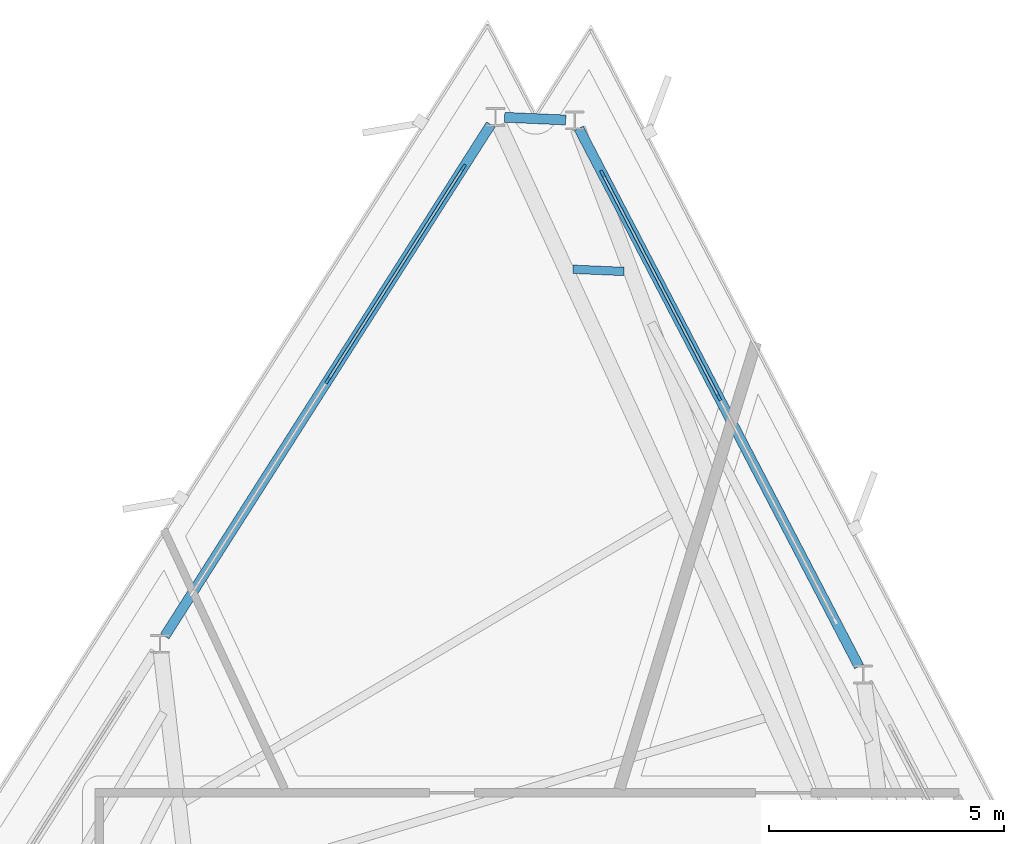
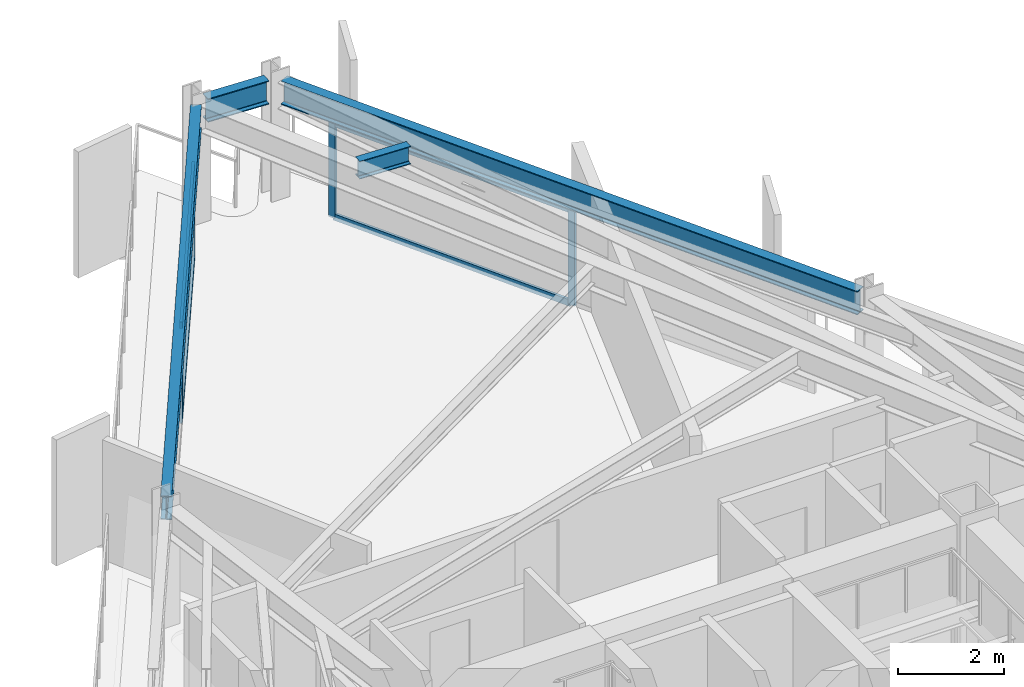
# One storey, part 6 of 12: 8 members, 4 beams, 2 elements without a shape of their own.
"""IFC4 building model written with IfcOpenShell, lengths in metres."""

from ifc_helpers import new_model, si_unit, direction, frame, origin, origin_2d, place, context, subcontext, project, spatial, rectangle, i_section, extrude, material, layer, layer_set, material_profile, profile_set, type_object, element, aggregate, save


model = new_model("IFC4")

# Units and contexts
model_context = context("Model", 3, precision=1e-05, world=origin(), true_north=direction((0.0, 1.0)))
body_context = subcontext(model_context, "Body", "Model", "MODEL_VIEW")
ifc_project = project(units=[si_unit("LENGTHUNIT", "METRE"), si_unit("AREAUNIT", "SQUARE_METRE"), si_unit("VOLUMEUNIT", "CUBIC_METRE"), si_unit("PLANEANGLEUNIT", "RADIAN"), si_unit("MASSUNIT", "GRAM", prefix="KILO")], contexts=[model_context])

# Site, building, storey
site_placement = place(None, origin())
site = spatial("IfcSite", under=ifc_project, at=site_placement, CompositionType="ELEMENT")
building_placement = place(site_placement, origin())
building = spatial("IfcBuilding", under=site, at=building_placement, Name="Rocaltana Carrier Exchange", CompositionType="ELEMENT")
storey_placement = place(building_placement, frame((0.0, 0.0, 141.1201171875)))
storey = spatial("IfcBuildingStorey", under=building, at=storey_placement, Name="L44", CompositionType="ELEMENT", Elevation=141.1201171875)

# Curtain wall, members
ifc_material_1 = material(Name="Aluminium 6063-T6", Category="aluminium")
ifc_layer = layer(ifc_material_1, 0.14990234375)
ifc_layer_set = layer_set([ifc_layer], Name="Aluminium 6063-T6")
curtain_wall_type = type_object("IfcCurtainWallType", Name="Mid-Tower Unitised Curtain Wall CW-03", PredefinedType="NOTDEFINED", material=ifc_layer_set)
curtain_wall_1_placement = place(storey_placement, origin())
curtain_wall_1 = element("IfcCurtainWall", 1, at=curtain_wall_1_placement, inside=storey, type_object=curtain_wall_type, Name="L44 CW-03 Run CW-L44-F1S3", PredefinedType="NOTDEFINED")
ifc_material_2 = material(Name="Aluminium 6063-T6", Category="aluminium")
ifc_material_profile_1 = material_profile(ifc_material_2, rectangle(XDim=0.06005859375, YDim=0.14990234375, at=origin_2d()), Name="AL-60X150")
ifc_profile_set_1 = profile_set([ifc_material_profile_1], Name="Aluminium 6063-T6")
member_type_1 = type_object("IfcMemberType", Name="CW-03 Mullion AL-60X150", PredefinedType="MULLION", material=ifc_profile_set_1)
member_1_placement = place(storey_placement, frame((4.938232421875, 17.56494140625, 0.0), z_axis=(0.0, 0.0, 1.0), x_axis=(-0.887007955385, -0.461754141383, 0.0)))
member_1 = element("IfcMember", 2, at=member_1_placement, type_object=member_type_1, Name="CW-03 mullion 2", PredefinedType="MULLION", context=body_context, shape_type="SweptSolid", body=[
    extrude(rectangle(XDim=0.06005859375, YDim=0.14990234375, at=origin_2d()), origin(), (0.0, 0.0, 1.0), 2.2177734375),
])
member_2_placement = place(storey_placement, frame((2.458740234375, 22.328125, 0.0), z_axis=(0.0, 0.0, 1.0), x_axis=(-0.887007955385, -0.461754141383, 0.0)))
member_2 = element("IfcMember", 3, at=member_2_placement, type_object=member_type_1, Name="CW-03 mullion 3", PredefinedType="MULLION", context=body_context, shape_type="SweptSolid", body=[
    extrude(rectangle(XDim=0.06005859375, YDim=0.14990234375, at=origin_2d()), origin(), (0.0, 0.0, 1.0), 2.2177734375),
])

curtain_wall_2_placement = place(storey_placement, origin())
curtain_wall_2 = element("IfcCurtainWall", 4, at=curtain_wall_2_placement, inside=storey, type_object=curtain_wall_type, Name="L44 CW-03 Run CW-L44-F2S1", PredefinedType="NOTDEFINED")
member_3_placement = place(storey_placement, frame((-0.50341796875, 22.45751953125, 0.0), z_axis=(0.0, 0.0, 1.0), x_axis=(0.843390685726, -0.537300801443, 0.0)))
member_3 = element("IfcMember", 5, at=member_3_placement, type_object=member_type_1, Name="CW-03 mullion 1", PredefinedType="MULLION", context=body_context, shape_type="SweptSolid", body=[
    extrude(rectangle(XDim=0.06005859375, YDim=0.14990234375, at=origin_2d()), origin(), (0.0, 0.0, 1.0), 2.2177734375),
])
member_4_placement = place(storey_placement, frame((-3.388671875, 17.928466796875, 0.0), z_axis=(0.0, 0.0, 1.0), x_axis=(0.843390685726, -0.537300801443, 0.0)))
member_4 = element("IfcMember", 6, at=member_4_placement, type_object=member_type_1, Name="CW-03 mullion 2", PredefinedType="MULLION", context=body_context, shape_type="SweptSolid", body=[
    extrude(rectangle(XDim=0.06005859375, YDim=0.14990234375, at=origin_2d()), origin(), (0.0, 0.0, 1.0), 2.2177734375),
])

# Member
ifc_material_3 = material(Name="Aluminium 6063-T6", Category="aluminium")
ifc_material_profile_2 = material_profile(ifc_material_3, rectangle(XDim=0.06005859375, YDim=0.14990234375, at=origin_2d()), Name="AL-60X150")
ifc_profile_set_2 = profile_set([ifc_material_profile_2], Name="Aluminium 6063-T6")
member_type_2 = type_object("IfcMemberType", Name="CW-03 Transom AL-60X150", PredefinedType="USERDEFINED", material=ifc_profile_set_2)
member_5_placement = place(storey_placement, frame((4.924560546875, 17.591552734375, 0.02978515625), z_axis=(-0.461756588365, 0.887006681543, 0.0), x_axis=(-0.887006681543, -0.461756588365, 0.0)))
member_5 = element("IfcMember", 7, at=member_5_placement, type_object=member_type_2, Name="CW-03 transom 2.1", ObjectType="TRANSOM", PredefinedType="USERDEFINED", context=body_context, shape_type="SweptSolid", body=[
    extrude(rectangle(XDim=0.06005859375, YDim=0.14990234375, at=origin_2d()), origin(), (0.0, 0.0, 1.0), 5.31005859375),
])

member_6_placement = place(storey_placement, frame((4.924560546875, 17.591552734375, 2.18798828125), z_axis=(-0.461756588365, 0.887006681543, 0.0), x_axis=(-0.887006681543, -0.461756588365, 0.0)))
member_6 = element("IfcMember", 8, at=member_6_placement, type_object=member_type_2, Name="CW-03 transom 2.2", ObjectType="TRANSOM", PredefinedType="USERDEFINED", context=body_context, shape_type="SweptSolid", body=[
    extrude(rectangle(XDim=0.06005859375, YDim=0.14990234375, at=origin_2d()), origin(), (0.0, 0.0, 1.0), 5.31005859375),
])

aggregate(curtain_wall_1, [member_1, member_2, member_5, member_6])

member_7_placement = place(storey_placement, frame((-0.51953125, 22.43212890625, 0.02978515625), z_axis=(-0.537306810176, -0.843386857698, 0.0), x_axis=(0.843386857698, -0.537306810176, 0.0)))
member_7 = element("IfcMember", 9, at=member_7_placement, type_object=member_type_2, Name="CW-03 transom 1.1", ObjectType="TRANSOM", PredefinedType="USERDEFINED", context=body_context, shape_type="SweptSolid", body=[
    extrude(rectangle(XDim=0.06005859375, YDim=0.14990234375, at=origin_2d()), origin(), (0.0, 0.0, 1.0), 5.309814453125),
])

member_8_placement = place(storey_placement, frame((-0.51953125, 22.43212890625, 2.18798828125), z_axis=(-0.537306810176, -0.843386857698, 0.0), x_axis=(0.843386857698, -0.537306810176, 0.0)))
member_8 = element("IfcMember", 10, at=member_8_placement, type_object=member_type_2, Name="CW-03 transom 1.2", ObjectType="TRANSOM", PredefinedType="USERDEFINED", context=body_context, shape_type="SweptSolid", body=[
    extrude(rectangle(XDim=0.06005859375, YDim=0.14990234375, at=origin_2d()), origin(), (0.0, 0.0, 1.0), 5.309814453125),
])

aggregate(curtain_wall_2, [member_3, member_4, member_7, member_8])

# Beams
ifc_material_4 = material(Name="Steel S355", Category="steel")
ifc_material_profile_3 = material_profile(ifc_material_4, i_section(OverallWidth=0.179931640625, OverallDepth=0.4130859375, WebThickness=0.009765625, FlangeThickness=0.01611328125, FilletRadius=0.012939453125, at=origin_2d()), Name="W16X50")
ifc_profile_set_3 = profile_set([ifc_material_profile_3], Name="Steel S355")
beam_type_1 = type_object("IfcBeamType", Name="Floor Joist W16X50", PredefinedType="JOIST", material=ifc_profile_set_3)
beam_1_placement = place(storey_placement, frame((2.915771484375, 20.24658203125, 2.581298828125), z_axis=(-0.999049362551, 0.043593247039, 0.0), x_axis=(-0.043593247039, -0.999049362551, 0.0)))
element("IfcBeam", 11, at=beam_1_placement, inside=storey, type_object=beam_type_1, Name="FJ-L44-04-3", PredefinedType="JOIST", context=body_context, shape_type="SweptSolid", body=[
    extrude(i_section(OverallWidth=0.179931640625, OverallDepth=0.4130859375, WebThickness=0.009765625, FlangeThickness=0.01611328125, FilletRadius=0.012939453125, at=origin_2d()), origin(), (0.0, 0.0, 1.0), 1.08642578125),
])
ifc_material_5 = material(Name="Steel S355", Category="steel")
ifc_material_profile_4 = material_profile(ifc_material_5, i_section(OverallWidth=0.2119140625, OverallDepth=0.5439453125, WebThickness=0.01318359375, FlangeThickness=0.021240234375, FilletRadius=0.014892578125, at=origin_2d()), Name="W21X83")
ifc_profile_set_4 = profile_set([ifc_material_profile_4], Name="Steel S355")
beam_type_2 = type_object("IfcBeamType", Name="Spandrel Edge Beam W21X83", PredefinedType="SPANDREL", material=ifc_profile_set_4)
beam_2_placement = place(storey_placement, frame((7.920654296875, 11.836181640625, 2.515869140625), z_axis=(-0.461760336078, 0.887004730554, 0.0), x_axis=(-0.887004730554, -0.461760336078, 0.0)))
element("IfcBeam", 12, at=beam_2_placement, inside=storey, type_object=beam_type_2, Name="SP-L44-03", PredefinedType="SPANDREL", context=body_context, shape_type="SweptSolid", body=[
    extrude(i_section(OverallWidth=0.2119140625, OverallDepth=0.5439453125, WebThickness=0.01318359375, FlangeThickness=0.021240234375, FilletRadius=0.014892578125, at=origin_2d()), origin(), (0.0, 0.0, 1.0), 12.9169921875),
])
beam_3_placement = place(storey_placement, frame((1.676513671875, 23.471923828125, 2.515869140625), z_axis=(-0.999053325894, 0.043502321998, 0.0), x_axis=(-0.043502321998, -0.999053325894, 0.0)))
element("IfcBeam", 13, at=beam_3_placement, inside=storey, type_object=beam_type_2, Name="SP-L44-04", PredefinedType="SPANDREL", context=body_context, shape_type="SweptSolid", body=[
    extrude(i_section(OverallWidth=0.2119140625, OverallDepth=0.5439453125, WebThickness=0.01318359375, FlangeThickness=0.021240234375, FilletRadius=0.014892578125, at=origin_2d()), origin(), (0.0, 0.0, 1.0), 1.302001953125),
])
beam_4_placement = place(storey_placement, frame((0.08154296875, 23.37548828125, 2.515869140625), z_axis=(-0.537308358117, -0.843385871531, 0.0), x_axis=(0.843385871531, -0.537308358117, 0.0)))
element("IfcBeam", 14, at=beam_4_placement, inside=storey, type_object=beam_type_2, Name="SP-L44-05", PredefinedType="SPANDREL", context=body_context, shape_type="SweptSolid", body=[
    extrude(i_section(OverallWidth=0.2119140625, OverallDepth=0.5439453125, WebThickness=0.01318359375, FlangeThickness=0.021240234375, FilletRadius=0.014892578125, at=origin_2d()), origin(), (0.0, 0.0, 1.0), 12.9169921875),
])

save(model, "model.ifc")
